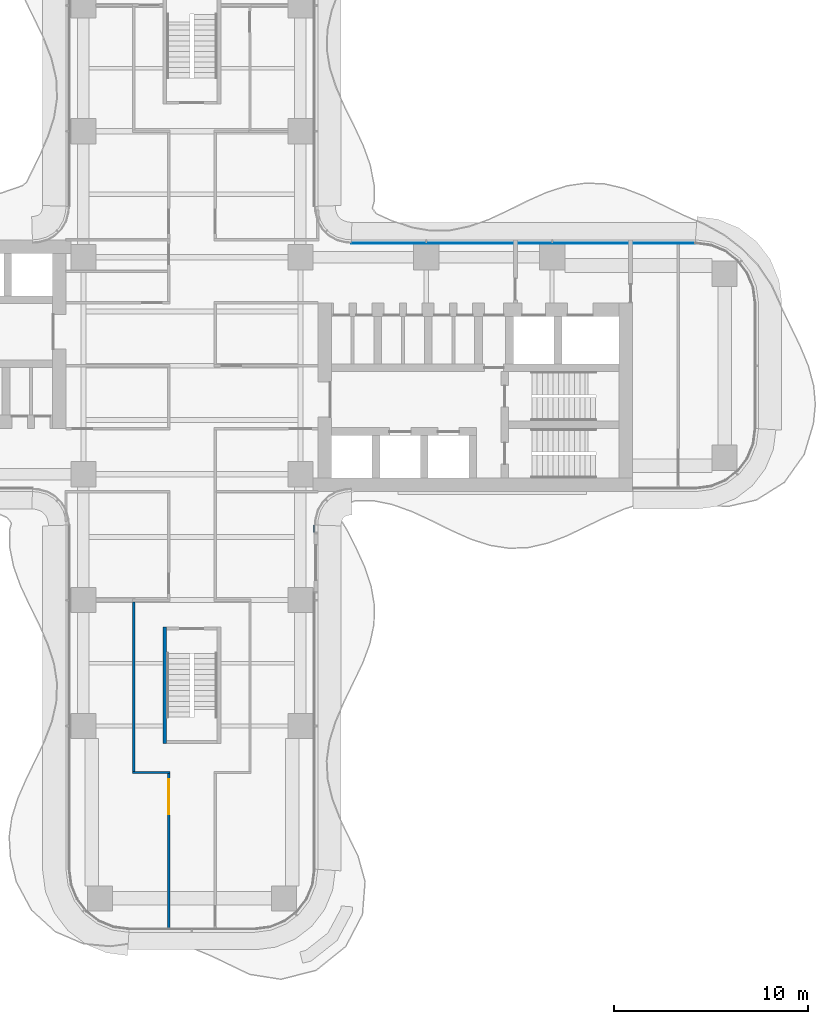
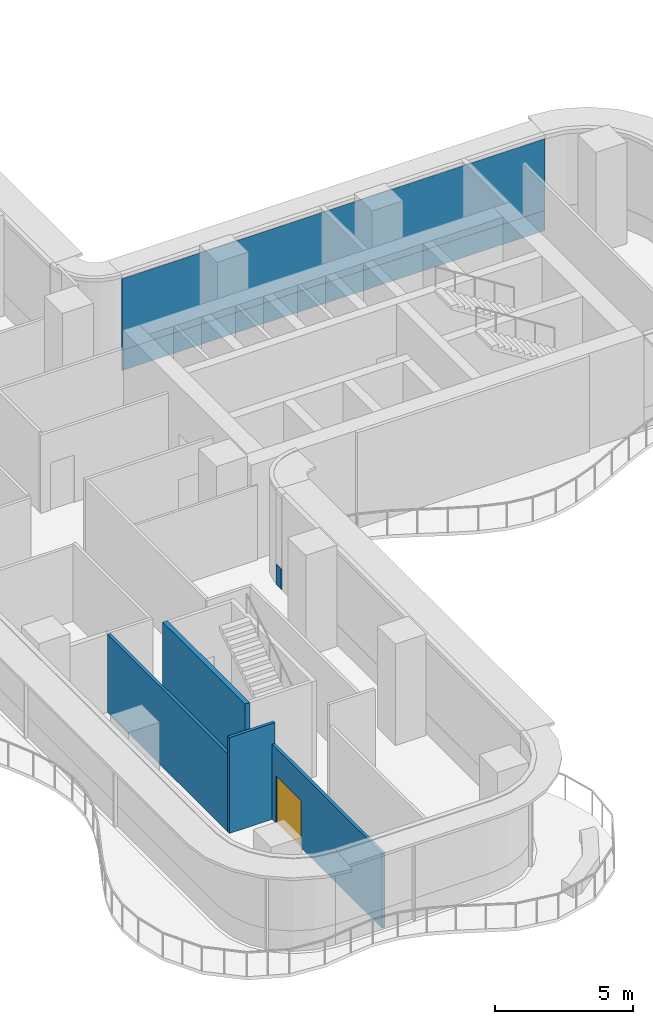
# One storey, part 17 of 23: 4 walls, 3 plates, 1 door, 1 opening, 2 elements without a shape of their own.
"""IFC4 building model written with IfcOpenShell, lengths in metres."""

from ifc_helpers import new_model, si_unit, direction, frame, frame_2d, origin, place, context, subcontext, project, spatial, polyline, rectangle, outline, extrude, source, transform, mapped, material, layer, layer_set, type_object, element, fill, aggregate, save


model = new_model("IFC4")

# Units and contexts
model_context = context("Model", 3, precision=1e-05, world=origin(), true_north=direction((0.0, 1.0)))
body_context = subcontext(model_context, "Body", "Model", "MODEL_VIEW")
ifc_project = project(units=[si_unit("LENGTHUNIT", "METRE"), si_unit("AREAUNIT", "SQUARE_METRE"), si_unit("VOLUMEUNIT", "CUBIC_METRE"), si_unit("PLANEANGLEUNIT", "RADIAN"), si_unit("MASSUNIT", "GRAM", prefix="KILO")], contexts=[model_context])

# Site, building, storey
site_placement = place(None, origin())
site = spatial("IfcSite", under=ifc_project, at=site_placement, CompositionType="ELEMENT")
building_placement = place(site_placement, origin())
building = spatial("IfcBuilding", under=site, at=building_placement, Name="Trellis Farm Tower", CompositionType="ELEMENT")
storey_placement = place(building_placement, frame((0.0, 0.0, 120.0)))
storey = spatial("IfcBuildingStorey", under=building, at=storey_placement, Name="L25", CompositionType="ELEMENT", Elevation=120.0)

# Curtain wall, plates
ifc_material_1 = material(Name="Aluminium and glass curtain wall", Category="aluminium")
ifc_layer_1 = layer(ifc_material_1, 0.18994140625)
ifc_layer_set_1 = layer_set([ifc_layer_1], Name="RIBBON CURTAIN WALL CW1")
curtain_wall_type = type_object("IfcCurtainWallType", Name="RIBBON CURTAIN WALL CW1", PredefinedType="NOTDEFINED", material=ifc_layer_set_1)
placement = place(storey_placement, origin())
curtain_wall_1 = element("IfcCurtainWall", 1, at=placement, inside=storey, type_object=curtain_wall_type, Name="CW1 008", PredefinedType="NOTDEFINED")
ifc_material_2 = material(Name="Clear insulated glass", Category="glass")
ifc_layer_2 = layer(ifc_material_2, 0.0400390625)
ifc_layer_set_2 = layer_set([ifc_layer_2], Name="CW1 GLASS PANEL 40")
plate_type_1 = type_object("IfcPlateType", Name="CW1 GLASS PANEL 40", PredefinedType="CURTAIN_PANEL", material=ifc_layer_set_2)
shared_shape_1 = source(origin(), body_context, "Body", "SweptSolid", [
    extrude(outline(polyline([(25.990234375, 6.35009765625), (8.2265625, 6.35009765625), (8.22509765625, 6.31005859375), (25.987548828125, 6.31005859375), (25.990234375, 6.35009765625)])), origin(), (0.0, 0.0, 1.0), 3.170166015625),
])
plate_1_placement = place(storey_placement, frame((0.0, 0.0, 0.89990234375)))
plate_1 = element("IfcPlate", 2, at=plate_1_placement, type_object=plate_type_1, Name="PL1 008", PredefinedType="CURTAIN_PANEL", context=body_context, shape_type="MappedRepresentation", body=[
    mapped(shared_shape_1, transform((0.0, 0.0, 0.0))),
])
ifc_material_3 = material(Name="Sandstone faced insulated panel", Category="masonry")
ifc_layer_3 = layer(ifc_material_3, 0.050048828125)
ifc_layer_set_3 = layer_set([ifc_layer_3], Name="CW1 STONE SPANDREL PANEL 50")
plate_type_2 = type_object("IfcPlateType", Name="CW1 STONE SPANDREL PANEL 50", PredefinedType="CURTAIN_PANEL", material=ifc_layer_set_3)
shared_shape_2 = source(origin(), body_context, "Body", "SweptSolid", [
    extrude(outline(polyline([(25.990234375, 6.35009765625), (8.2265625, 6.35009765625), (8.224853515625, 6.300048828125), (25.98681640625, 6.300048828125), (25.990234375, 6.35009765625)])), origin(), (0.0, 0.0, 1.0), 0.89990234375),
])
plate_2 = element("IfcPlate", 3, at=placement, type_object=plate_type_2, Name="PS1 008", PredefinedType="CURTAIN_PANEL", context=body_context, shape_type="MappedRepresentation", body=[
    mapped(shared_shape_2, transform((0.0, 0.0, 0.0))),
])
aggregate(curtain_wall_1, [plate_1, plate_2])

# Curtain wall, plate
curtain_wall_2 = element("IfcCurtainWall", 4, at=placement, inside=storey, type_object=curtain_wall_type, Name="CW1 005", PredefinedType="NOTDEFINED")
shared_shape_3 = source(origin(), body_context, "Body", "SweptSolid", [
    extrude(outline(polyline([(6.35009765625, -8.605712890625), (6.35009765625, -8.2265625), (6.300048828125, -8.224853515625), (6.300048828125, -8.605712890625), (6.35009765625, -8.605712890625)])), origin(), (0.0, 0.0, 1.0), 0.89990234375),
])
plate_3 = element("IfcPlate", 5, at=placement, type_object=plate_type_2, Name="PS1 005", PredefinedType="CURTAIN_PANEL", context=body_context, shape_type="MappedRepresentation", body=[
    mapped(shared_shape_3, transform((0.0, 0.0, 0.0))),
])
aggregate(curtain_wall_2, [plate_3])

# Wall
ifc_material_4 = material(Name="Concrete C70/85", Category="concrete")
ifc_layer_4 = layer(ifc_material_4, 0.199951171875)
ifc_layer_set_4 = layer_set([ifc_layer_4], Name="CORE STAIR ENCLOSURE WALL 200 CONCRETE C70/85")
wall_type_1 = type_object("IfcWallType", Name="CORE STAIR ENCLOSURE WALL 200 CONCRETE C70/85", PredefinedType="SHEAR", material=ifc_layer_set_4)
shared_shape_4 = source(origin(), body_context, "Body", "SweptSolid", [
    extrude(rectangle(XDim=6.0, YDim=0.199951171875, at=frame_2d((3.0, 0.0))), origin(), (0.0, 0.0, 1.0), 4.25),
])
wall_1_placement = place(storey_placement, frame((-1.39990234375, -13.5, 0.0), z_axis=(0.0, 0.0, 1.0), x_axis=(0.0, -1.0, 0.0)))
element("IfcWall", 6, at=wall_1_placement, inside=storey, type_object=wall_type_1, Name="Stair enclosure wall", PredefinedType="SHEAR", context=body_context, shape_type="MappedRepresentation", body=[
    mapped(shared_shape_4, transform((0.0, 0.0, 0.0))),
])

# Wall, opening, door
ifc_material_5 = material(Name="Plasterboard on steel studs, mineral wool", Category="steel")
ifc_layer_5 = layer(ifc_material_5, 0.125)
ifc_layer_set_5 = layer_set([ifc_layer_5], Name="PARTITION 125 STUD EI 60")
wall_type_2 = type_object("IfcWallType", Name="PARTITION 125 STUD EI 60", PredefinedType="PARTITIONING", material=ifc_layer_set_5)
shared_shape_5 = source(origin(), body_context, "Body", "SweptSolid", [
    extrude(rectangle(XDim=7.987548828125, YDim=0.125, at=frame_2d((3.99365234375, 0.0))), origin(), (0.0, 0.0, 1.0), 3.330078125),
])
wall_2_placement = place(storey_placement, frame((-1.199951171875, -21.0625, 0.0), z_axis=(0.0, 0.0, 1.0), x_axis=(0.0, -1.0, 0.0)))
wall_2 = element("IfcWall", 7, at=wall_2_placement, inside=storey, type_object=wall_type_2, Name="Partition PW1", PredefinedType="PARTITIONING", context=body_context, shape_type="MappedRepresentation", body=[
    mapped(shared_shape_5, transform((0.0, 0.0, 0.0))),
])
shared_shape_6 = source(origin(), body_context, "Body", "SweptSolid", [
    extrude(rectangle(XDim=1.800048828125, YDim=2.10009765625, at=frame_2d((0.89990234375, 1.050048828125))), frame((0.0, 0.072509765625, 0.0), z_axis=(0.0, -1.0, 0.0), x_axis=(1.0, 0.0, 0.0)), (0.0, 0.0, 1.0), 0.14501953125),
])
opening_placement = place(wall_2_placement, frame((0.28759765625, 0.0, 0.0)))
opening = element("IfcOpeningElement", 8, at=opening_placement, cuts=wall_2, Name="Opening D201", PredefinedType="OPENING", context=body_context, shape_type="MappedRepresentation", body=[
    mapped(shared_shape_6, transform((0.0, 0.0, 0.0))),
])
ifc_material_6 = material(Name="Fire-rated timber door leaf in a hollow metal frame", Category="wood")
door_type = type_object("IfcDoorType", Name="DOOR PAIR 1800x2100 FD30S", OperationType="NOTDEFINED", PredefinedType="DOOR", material=ifc_material_6)
shared_shape_7 = source(origin(), body_context, "Body", "SweptSolid", [
    extrude(rectangle(XDim=1.800048828125, YDim=2.10009765625, at=frame_2d((0.89990234375, 1.050048828125))), frame((0.0, 0.02490234375, 0.0), z_axis=(0.0, -1.0, 0.0), x_axis=(1.0, 0.0, 0.0)), (0.0, 0.0, 1.0), 0.050048828125),
])
door_placement = place(opening_placement, origin())
door = element("IfcDoor", 9, at=door_placement, inside=storey, type_object=door_type, Name="Door D201", OperationType="DOUBLE_DOOR_SINGLE_SWING", OverallHeight=2.10009765625, OverallWidth=1.800048828125, PredefinedType="DOOR", context=body_context, shape_type="MappedRepresentation", body=[
    mapped(shared_shape_7, transform((0.0, 0.0, 0.0))),
])
fill(opening, door)

# Walls
shared_shape_8 = source(origin(), body_context, "Body", "SweptSolid", [
    extrude(rectangle(XDim=8.737548828125, YDim=0.125, at=frame_2d((4.36865234375, 0.0))), origin(), (0.0, 0.0, 1.0), 3.4677734375),
])
wall_3_placement = place(storey_placement, frame((-3.0, -20.9375, 0.0), z_axis=(0.0, 0.0, 1.0), x_axis=(0.0, 1.0, 0.0)))
element("IfcWall", 10, at=wall_3_placement, inside=storey, type_object=wall_type_2, Name="Partition PW1", PredefinedType="PARTITIONING", context=body_context, shape_type="MappedRepresentation", body=[
    mapped(shared_shape_8, transform((0.0, 0.0, 0.0))),
])
shared_shape_9 = source(origin(), body_context, "Body", "SweptSolid", [
    extrude(rectangle(XDim=1.925048828125, YDim=0.125, at=frame_2d((0.96240234375, 0.0))), origin(), (0.0, 0.0, 1.0), 4.25),
])
wall_4_placement = place(storey_placement, frame((-1.137451171875, -21.0, 0.0), z_axis=(0.0, 0.0, 1.0), x_axis=(-1.0, 0.0, 0.0)))
element("IfcWall", 11, at=wall_4_placement, inside=storey, type_object=wall_type_2, Name="Partition PW1", PredefinedType="PARTITIONING", context=body_context, shape_type="MappedRepresentation", body=[
    mapped(shared_shape_9, transform((0.0, 0.0, 0.0))),
])

save(model, "model.ifc")
